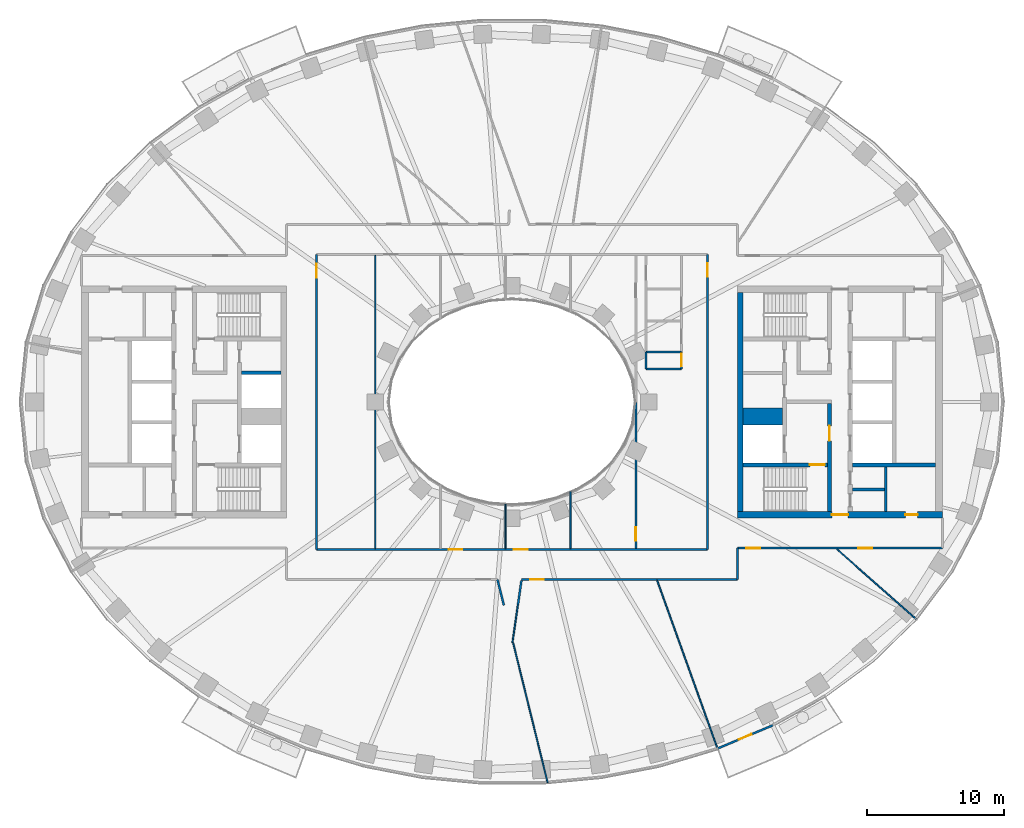
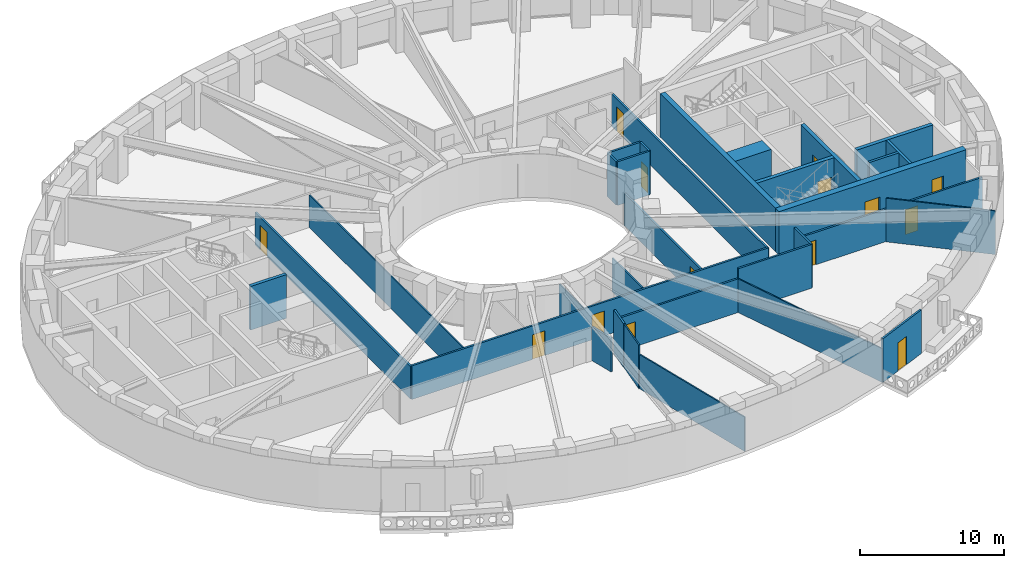
# One storey, part 4 of 15: 31 walls, 14 doors, 14 openings.
"""IFC4 building model written with IfcOpenShell, lengths in metres."""

from ifc_helpers import new_model, si_unit, direction, frame, frame_2d, origin, place, context, subcontext, project, spatial, rectangle, extrude, material, layer, layer_set, type_object, element, fill, save


model = new_model("IFC4")

# Units and contexts
model_context = context("Model", 3, precision=1e-05, world=origin(), true_north=direction((0.0, 1.0)))
body_context = subcontext(model_context, "Body", "Model", "MODEL_VIEW")
ifc_project = project(units=[si_unit("LENGTHUNIT", "METRE"), si_unit("AREAUNIT", "SQUARE_METRE"), si_unit("VOLUMEUNIT", "CUBIC_METRE"), si_unit("PLANEANGLEUNIT", "RADIAN"), si_unit("MASSUNIT", "GRAM", prefix="KILO")], contexts=[model_context])

# Site, building, storey
site_placement = place(None, origin())
site = spatial("IfcSite", under=ifc_project, at=site_placement, CompositionType="ELEMENT")
building_placement = place(site_placement, origin())
building = spatial("IfcBuilding", under=site, at=building_placement, Name="Noorbagh Ring Tower", CompositionType="ELEMENT")
storey_placement = place(building_placement, frame((0.0, 0.0, 104.0)))
storey = spatial("IfcBuildingStorey", under=building, at=storey_placement, Name="L23", CompositionType="ELEMENT", Elevation=104.0)

# Walls
ifc_material_1 = material(Name="Gypsum board on steel studs", Category="steel")
ifc_layer_1 = layer(ifc_material_1, 0.14990234375)
ifc_layer_set_1 = layer_set([ifc_layer_1], Name="Gypsum board on steel studs")
wall_type_1 = type_object("IfcWallType", Name="COMPARTMENT PARTITION 150 EI 60", PredefinedType="PARTITIONING", material=ifc_layer_set_1)
wall_1_placement = place(storey_placement, frame((9.800048828125, 2.404052734375, 0.0), z_axis=(0.0, 0.0, 1.0), x_axis=(0.0, 1.0, 0.0)))
element("IfcWall", 1, at=wall_1_placement, inside=storey, type_object=wall_type_1, Name="L23/wall/P37", PredefinedType="PARTITIONING", context=body_context, shape_type="SweptSolid", body=[
    extrude(rectangle(XDim=1.255859375, YDim=0.14990234375, at=frame_2d((0.6279296875, 0.0))), origin(), (0.0, 0.0, 1.0), 3.699951171875),
])
wall_2_placement = place(storey_placement, frame((9.800048828125, 3.659912109375, 0.0), z_axis=(0.0, 0.0, 1.0), x_axis=(1.0, 0.0, 0.0)))
element("IfcWall", 2, at=wall_2_placement, inside=storey, type_object=wall_type_1, Name="L23/wall/P39", PredefinedType="PARTITIONING", context=body_context, shape_type="SweptSolid", body=[
    extrude(rectangle(XDim=2.599853515625, YDim=0.14990234375, at=frame_2d((1.2998046875, 0.0))), origin(), (0.0, 0.0, 1.0), 3.699951171875),
])
wall_3_placement = place(storey_placement, frame((9.803955078125, 2.39990234375, 0.0), z_axis=(0.0, 0.0, 1.0), x_axis=(1.0, 0.0, 0.0)))
element("IfcWall", 3, at=wall_3_placement, inside=storey, type_object=wall_type_1, Name="L23/wall/P42", PredefinedType="PARTITIONING", context=body_context, shape_type="SweptSolid", body=[
    extrude(rectangle(XDim=2.595947265625, YDim=0.14990234375, at=frame_2d((1.2978515625, 0.0))), origin(), (0.0, 0.0, 1.0), 3.699951171875),
])

# Wall, opening, door
wall_4_placement = place(storey_placement, frame((12.39990234375, 2.39990234375, 0.0), z_axis=(0.0, 0.0, 1.0), x_axis=(0.0, 1.0, 0.0)))
wall_4 = element("IfcWall", 4, at=wall_4_placement, inside=storey, type_object=wall_type_1, Name="L23/wall/P45", PredefinedType="PARTITIONING", context=body_context, shape_type="SweptSolid", body=[
    extrude(rectangle(XDim=1.260009765625, YDim=0.14990234375, at=frame_2d((0.6298828125, 0.0))), origin(), (0.0, 0.0, 1.0), 3.699951171875),
])
opening_1_placement = place(wall_4_placement, frame((0.2099609375, 0.0, 0.0)))
opening_1 = element("IfcOpeningElement", 5, at=opening_1_placement, cuts=wall_4, Name="Opening D4", PredefinedType="OPENING", context=body_context, shape_type="SweptSolid", body=[
    extrude(rectangle(XDim=0.89990234375, YDim=2.10009765625, at=frame_2d((0.449951171875, 1.050048828125))), frame((0.0, 0.0849609375, 0.0), z_axis=(0.0, -1.0, 0.0), x_axis=(1.0, 0.0, 0.0)), (0.0, 0.0, 1.0), 0.169921875),
])
ifc_material_2 = material(Name="Timber, painted", Category="wood")
door_type_1 = type_object("IfcDoorType", Name="DOOR 900 X 2100 FD60", OperationType="SINGLE_SWING_LEFT", PredefinedType="DOOR", material=ifc_material_2)
door_1_placement = place(opening_1_placement, origin())
door_1 = element("IfcDoor", 6, at=door_1_placement, inside=storey, type_object=door_type_1, Name="L23-D05", OperationType="SINGLE_SWING_LEFT", OverallHeight=2.10009765625, OverallWidth=0.89990234375, PredefinedType="DOOR", context=body_context, shape_type="SweptSolid", body=[
    extrude(rectangle(XDim=0.89990234375, YDim=2.10009765625, at=frame_2d((0.449951171875, 1.050048828125))), frame((0.0, 0.02490234375, 0.0), z_axis=(0.0, -1.0, 0.0), x_axis=(1.0, 0.0, 0.0)), (0.0, 0.0, 1.0), 0.050048828125),
])
fill(opening_1, door_1)

# Walls
ifc_material_3 = material(Name="Gypsum board on steel studs", Category="steel")
ifc_layer_2 = layer(ifc_material_3, 0.199951171875)
ifc_layer_set_2 = layer_set([ifc_layer_2], Name="Gypsum board on steel studs")
wall_type_2 = type_object("IfcWallType", Name="CORE-PARTITION-200", PredefinedType="PARTITIONING", material=ifc_layer_set_2)
wall_5_placement = place(storey_placement, frame((27.35009765625, -8.0, 0.0), z_axis=(0.0, 0.0, 1.0), x_axis=(0.0, 1.0, 0.0)))
element("IfcWall", 7, at=wall_5_placement, inside=storey, type_object=wall_type_2, Name="Core partition E", PredefinedType="PARTITIONING", context=body_context, shape_type="SweptSolid", body=[
    extrude(rectangle(XDim=3.25, YDim=0.199951171875, at=frame_2d((1.625, 0.0))), origin(), (0.0, 0.0, 1.0), 3.699951171875),
])
wall_6_placement = place(storey_placement, frame((24.89990234375, -6.39990234375, 0.0), z_axis=(0.0, 0.0, 1.0), x_axis=(1.0, 0.0, 0.0)))
element("IfcWall", 8, at=wall_6_placement, inside=storey, type_object=wall_type_2, Name="Core partition E", PredefinedType="PARTITIONING", context=body_context, shape_type="SweptSolid", body=[
    extrude(rectangle(XDim=2.35009765625, YDim=0.199951171875, at=frame_2d((1.175048828125, 0.0))), origin(), (0.0, 0.0, 1.0), 3.699951171875),
])
ifc_material_4 = material(Name="Concrete C70/85", Category="concrete")
ifc_layer_3 = layer(ifc_material_4, 1.25)
ifc_layer_set_3 = layer_set([ifc_layer_3], Name="Concrete C70/85")
wall_type_3 = type_object("IfcWallType", Name="CORE-WALL-1250-C70-85-EI120", PredefinedType="SHEAR", material=ifc_layer_set_3)
wall_7_placement = place(storey_placement, frame((16.89990234375, -1.074951171875, 0.0), z_axis=(0.0, 0.0, 1.0), x_axis=(1.0, 0.0, 0.0)))
element("IfcWall", 9, at=wall_7_placement, inside=storey, type_object=wall_type_3, Name="Core wall E", PredefinedType="SHEAR", context=body_context, shape_type="SweptSolid", body=[
    extrude(rectangle(XDim=2.900146484375, YDim=1.25, at=frame_2d((1.4501953125, 0.0))), origin(), (0.0, 0.0, 1.0), 3.699951171875),
])
ifc_material_5 = material(Name="Concrete C70/85", Category="concrete")
ifc_layer_4 = layer(ifc_material_5, 0.25)
ifc_layer_set_4 = layer_set([ifc_layer_4], Name="Concrete C70/85")
wall_type_4 = type_object("IfcWallType", Name="CORE-WALL-250-C70-85-EI120", PredefinedType="SHEAR", material=ifc_layer_set_4)
wall_8_placement = place(storey_placement, frame((-16.89990234375, 2.125, 0.0), z_axis=(0.0, 0.0, 1.0), x_axis=(-1.0, 0.0, 0.0)))
element("IfcWall", 10, at=wall_8_placement, inside=storey, type_object=wall_type_4, Name="Core wall W", PredefinedType="SHEAR", context=body_context, shape_type="SweptSolid", body=[
    extrude(rectangle(XDim=2.900146484375, YDim=0.25, at=frame_2d((1.4501953125, 0.0))), origin(), (0.0, 0.0, 1.0), 3.699951171875),
])
ifc_material_6 = material(Name="Concrete C70/85", Category="concrete")
ifc_layer_5 = layer(ifc_material_6, 0.300048828125)
ifc_layer_set_5 = layer_set([ifc_layer_5], Name="Concrete C70/85")
wall_type_5 = type_object("IfcWallType", Name="CORE-WALL-300-C70-85-EI240", PredefinedType="SHEAR", material=ifc_layer_set_5)
wall_9_placement = place(storey_placement, frame((24.89990234375, -4.60009765625, 0.0), z_axis=(0.0, 0.0, 1.0), x_axis=(1.0, 0.0, 0.0)))
element("IfcWall", 11, at=wall_9_placement, inside=storey, type_object=wall_type_5, Name="Core wall E", PredefinedType="SHEAR", context=body_context, shape_type="SweptSolid", body=[
    extrude(rectangle(XDim=6.10009765625, YDim=0.300048828125, at=frame_2d((3.050048828125, 0.0))), origin(), (0.0, 0.0, 1.0), 3.699951171875),
])

# Wall, opening, door
wall_10_placement = place(storey_placement, frame((23.22998046875, -8.0, 0.0), z_axis=(0.0, 0.0, 1.0), x_axis=(0.0, 1.0, 0.0)))
wall_10 = element("IfcWall", 12, at=wall_10_placement, inside=storey, type_object=wall_type_5, Name="Core wall E", PredefinedType="SHEAR", context=body_context, shape_type="SweptSolid", body=[
    extrude(rectangle(XDim=7.875, YDim=0.300048828125, at=frame_2d((3.9375, 0.0))), origin(), (0.0, 0.0, 1.0), 3.699951171875),
])
opening_2_placement = place(wall_10_placement, frame((5.14990234375, 0.0, 0.0)))
opening_2 = element("IfcOpeningElement", 13, at=opening_2_placement, cuts=wall_10, Name="Opening L23-CE07", PredefinedType="OPENING", context=body_context, shape_type="SweptSolid", body=[
    extrude(rectangle(XDim=1.10009765625, YDim=2.10009765625, at=frame_2d((0.550048828125, 1.050048828125))), frame((0.0, 0.16015625, 0.0), z_axis=(0.0, -1.0, 0.0), x_axis=(1.0, 0.0, 0.0)), (0.0, 0.0, 1.0), 0.320068359375),
])
ifc_material_7 = material(Name="Steel door leaf", Category="steel")
door_type_2 = type_object("IfcDoorType", Name="CORE-DOOR-DFF", OperationType="SINGLE_SWING_LEFT", PredefinedType="DOOR", material=ifc_material_7)
door_2_placement = place(opening_2_placement, origin())
door_2 = element("IfcDoor", 14, at=door_2_placement, inside=storey, type_object=door_type_2, Name="Firefighting lobby door L23-CE07", OperationType="SINGLE_SWING_RIGHT", OverallHeight=2.10009765625, OverallWidth=1.10009765625, PredefinedType="DOOR", context=body_context, shape_type="SweptSolid", body=[
    extrude(rectangle(XDim=1.10009765625, YDim=2.10009765625, at=frame_2d((0.550048828125, 1.050048828125))), frame((0.0, 0.02490234375, 0.0), z_axis=(0.0, -1.0, 0.0), x_axis=(1.0, 0.0, 0.0)), (0.0, 0.0, 1.0), 0.050048828125),
])
fill(opening_2, door_2)

wall_11_placement = place(storey_placement, frame((16.89990234375, -4.60009765625, 0.0), z_axis=(0.0, 0.0, 1.0), x_axis=(1.0, 0.0, 0.0)))
wall_11 = element("IfcWall", 15, at=wall_11_placement, inside=storey, type_object=wall_type_5, Name="Core wall E", PredefinedType="SHEAR", context=body_context, shape_type="SweptSolid", body=[
    extrude(rectangle(XDim=6.18017578125, YDim=0.300048828125, at=frame_2d((3.090087890625, 0.0))), origin(), (0.0, 0.0, 1.0), 3.699951171875),
])
opening_3_placement = place(wall_11_placement, frame((4.89990234375, 0.0, 0.0)))
opening_3 = element("IfcOpeningElement", 16, at=opening_3_placement, cuts=wall_11, Name="Opening L23-CE06", PredefinedType="OPENING", context=body_context, shape_type="SweptSolid", body=[
    extrude(rectangle(XDim=1.10009765625, YDim=2.10009765625, at=frame_2d((0.550048828125, 1.050048828125))), frame((0.0, 0.16015625, 0.0), z_axis=(0.0, -1.0, 0.0), x_axis=(1.0, 0.0, 0.0)), (0.0, 0.0, 1.0), 0.320068359375),
])
ifc_material_8 = material(Name="Steel door leaf", Category="steel")
door_type_3 = type_object("IfcDoorType", Name="CORE-DOOR-DSTAIR", OperationType="SINGLE_SWING_LEFT", PredefinedType="DOOR", material=ifc_material_8)
door_3_placement = place(opening_3_placement, origin())
door_3 = element("IfcDoor", 17, at=door_3_placement, inside=storey, type_object=door_type_3, Name="Stair door ST4 L23-CE06", OperationType="SINGLE_SWING_RIGHT", OverallHeight=2.10009765625, OverallWidth=1.10009765625, PredefinedType="DOOR", context=body_context, shape_type="SweptSolid", body=[
    extrude(rectangle(XDim=1.10009765625, YDim=2.10009765625, at=frame_2d((0.550048828125, 1.050048828125))), frame((0.0, 0.02490234375, 0.0), z_axis=(0.0, -1.0, 0.0), x_axis=(1.0, 0.0, 0.0)), (0.0, 0.0, 1.0), 0.050048828125),
])
fill(opening_3, door_3)

# Wall
ifc_material_9 = material(Name="Concrete C70/85", Category="concrete")
ifc_layer_6 = layer(ifc_material_9, 0.39990234375)
ifc_layer_set_6 = layer_set([ifc_layer_6], Name="Concrete C70/85")
wall_type_6 = type_object("IfcWallType", Name="CORE-WALL-400-C70-85-EI240", PredefinedType="SHEAR", material=ifc_layer_set_6)
wall_12_placement = place(storey_placement, frame((16.699951171875, -8.0, 0.0), z_axis=(0.0, 0.0, 1.0), x_axis=(0.0, 1.0, 0.0)))
element("IfcWall", 18, at=wall_12_placement, inside=storey, type_object=wall_type_6, Name="Core wall E", PredefinedType="SHEAR", context=body_context, shape_type="SweptSolid", body=[
    extrude(rectangle(XDim=16.0, YDim=0.39990234375, at=frame_2d((8.0, 0.0))), origin(), (0.0, 0.0, 1.0), 3.699951171875),
])

# Wall, openings, doors
ifc_material_10 = material(Name="Concrete C70/85", Category="concrete")
ifc_layer_7 = layer(ifc_material_10, 0.5)
ifc_layer_set_7 = layer_set([ifc_layer_7], Name="Concrete C70/85")
wall_type_7 = type_object("IfcWallType", Name="CORE-WALL-500-C70-85-EI240", PredefinedType="SHEAR", material=ifc_layer_set_7)
wall_13_placement = place(storey_placement, frame((16.5, -8.25, 0.0), z_axis=(0.0, 0.0, 1.0), x_axis=(1.0, 0.0, 0.0)))
wall_13 = element("IfcWall", 19, at=wall_13_placement, inside=storey, type_object=wall_type_7, Name="Core wall E", PredefinedType="SHEAR", context=body_context, shape_type="SweptSolid", body=[
    extrude(rectangle(XDim=15.0, YDim=0.5, at=frame_2d((7.5, 0.0))), origin(), (0.0, 0.0, 1.0), 3.699951171875),
])
opening_4_placement = place(wall_13_placement, frame((6.89990234375, 0.0, 0.0)))
opening_4 = element("IfcOpeningElement", 20, at=opening_4_placement, cuts=wall_13, Name="Opening L23-CE10", PredefinedType="OPENING", context=body_context, shape_type="SweptSolid", body=[
    extrude(rectangle(XDim=1.199951171875, YDim=2.10009765625, at=frame_2d((0.60009765625, 1.050048828125))), frame((0.0, 0.260009765625, 0.0), z_axis=(0.0, -1.0, 0.0), x_axis=(1.0, 0.0, 0.0)), (0.0, 0.0, 1.0), 0.52001953125),
])
opening_5_placement = place(wall_13_placement, frame((12.27490234375, 0.0, 0.0)))
opening_5 = element("IfcOpeningElement", 21, at=opening_5_placement, cuts=wall_13, Name="Opening L23-CE17", PredefinedType="OPENING", context=body_context, shape_type="SweptSolid", body=[
    extrude(rectangle(XDim=0.89990234375, YDim=2.10009765625, at=frame_2d((0.449951171875, 1.050048828125))), frame((0.0, 0.260009765625, 0.0), z_axis=(0.0, -1.0, 0.0), x_axis=(1.0, 0.0, 0.0)), (0.0, 0.0, 1.0), 0.52001953125),
])
ifc_material_11 = material(Name="Steel door leaf", Category="steel")
door_type_4 = type_object("IfcDoorType", Name="CORE-DOOR-DROOM", OperationType="SINGLE_SWING_LEFT", PredefinedType="DOOR", material=ifc_material_11)
door_4_placement = place(opening_5_placement, origin())
door_4 = element("IfcDoor", 22, at=door_4_placement, inside=storey, type_object=door_type_4, Name="Core room door L23-CE17", OperationType="SINGLE_SWING_RIGHT", OverallHeight=2.10009765625, OverallWidth=0.89990234375, PredefinedType="DOOR", context=body_context, shape_type="SweptSolid", body=[
    extrude(rectangle(XDim=0.89990234375, YDim=2.10009765625, at=frame_2d((0.449951171875, 1.050048828125))), frame((0.0, 0.02490234375, 0.0), z_axis=(0.0, -1.0, 0.0), x_axis=(1.0, 0.0, 0.0)), (0.0, 0.0, 1.0), 0.050048828125),
])
fill(opening_5, door_4)
ifc_material_12 = material(Name="Steel door leaf", Category="steel")
door_type_5 = type_object("IfcDoorType", Name="CORE-DOOR-PORT", OperationType="DOUBLE_DOOR_DOUBLE_SWING", PredefinedType="DOOR", material=ifc_material_12)
door_5_placement = place(opening_4_placement, origin())
door_5 = element("IfcDoor", 23, at=door_5_placement, inside=storey, type_object=door_type_5, Name="Core entrance door L23-CE10", OperationType="DOUBLE_DOOR_DOUBLE_SWING", OverallHeight=2.10009765625, OverallWidth=1.199951171875, PredefinedType="DOOR", context=body_context, shape_type="SweptSolid", body=[
    extrude(rectangle(XDim=1.199951171875, YDim=2.10009765625, at=frame_2d((0.60009765625, 1.050048828125))), frame((0.0, 0.02490234375, 0.0), z_axis=(0.0, -1.0, 0.0), x_axis=(1.0, 0.0, 0.0)), (0.0, 0.0, 1.0), 0.050048828125),
])
fill(opening_4, door_5)

# Wall, opening, door
ifc_material_13 = material(Name="Gypsum board on steel studs", Category="steel")
ifc_layer_8 = layer(ifc_material_13, 0.14990234375)
ifc_layer_set_8 = layer_set([ifc_layer_8], Name="Gypsum board on steel studs")
wall_type_8 = type_object("IfcWallType", Name="CORRIDOR PARTITION 150 EI 30", PredefinedType="PARTITIONING", material=ifc_layer_set_8)
wall_14_placement = place(storey_placement, frame((-14.300048828125, -10.800048828125, 0.0), z_axis=(0.0, 0.0, 1.0), x_axis=(0.0, 1.0, 0.0)))
wall_14 = element("IfcWall", 24, at=wall_14_placement, inside=storey, type_object=wall_type_8, Name="L23/wall/P12", PredefinedType="PARTITIONING", context=body_context, shape_type="SweptSolid", body=[
    extrude(rectangle(XDim=21.60009765625, YDim=0.14990234375, at=frame_2d((10.800048828125, 0.0))), origin(), (0.0, 0.0, 1.0), 2.75),
])
opening_6_placement = place(wall_14_placement, frame((19.89990234375, 0.0, 0.0)))
opening_6 = element("IfcOpeningElement", 25, at=opening_6_placement, cuts=wall_14, Name="Opening D1", PredefinedType="OPENING", context=body_context, shape_type="SweptSolid", body=[
    extrude(rectangle(XDim=1.0, YDim=2.10009765625, at=frame_2d((0.5, 1.050048828125))), frame((0.0, 0.0849609375, 0.0), z_axis=(0.0, -1.0, 0.0), x_axis=(1.0, 0.0, 0.0)), (0.0, 0.0, 1.0), 0.169921875),
])
ifc_material_14 = material(Name="Timber, painted", Category="wood")
door_type_6 = type_object("IfcDoorType", Name="DOOR 1000 X 2100 FD30", OperationType="SINGLE_SWING_LEFT", PredefinedType="DOOR", material=ifc_material_14)
door_6_placement = place(opening_6_placement, origin())
door_6 = element("IfcDoor", 26, at=door_6_placement, inside=storey, type_object=door_type_6, Name="L23-D18", OperationType="SINGLE_SWING_RIGHT", OverallHeight=2.10009765625, OverallWidth=1.0, PredefinedType="DOOR", context=body_context, shape_type="SweptSolid", body=[
    extrude(rectangle(XDim=1.0, YDim=2.10009765625, at=frame_2d((0.5, 1.050048828125))), frame((0.0, 0.02490234375, 0.0), z_axis=(0.0, -1.0, 0.0), x_axis=(1.0, 0.0, 0.0)), (0.0, 0.0, 1.0), 0.050048828125),
])
fill(opening_6, door_6)

# Wall, openings, doors
wall_15_placement = place(storey_placement, frame((-14.300048828125, -10.800048828125, 0.0), z_axis=(0.0, 0.0, 1.0), x_axis=(1.0, 0.0, 0.0)))
wall_15 = element("IfcWall", 27, at=wall_15_placement, inside=storey, type_object=wall_type_8, Name="L23/wall/P13", PredefinedType="PARTITIONING", context=body_context, shape_type="SweptSolid", body=[
    extrude(rectangle(XDim=28.60009765625, YDim=0.14990234375, at=frame_2d((14.300048828125, 0.0))), origin(), (0.0, 0.0, 1.0), 2.85009765625),
])
opening_7_placement = place(wall_15_placement, frame((9.673095703125, 0.0, 0.0)))
opening_7 = element("IfcOpeningElement", 28, at=opening_7_placement, cuts=wall_15, Name="Opening D1", PredefinedType="OPENING", context=body_context, shape_type="SweptSolid", body=[
    extrude(rectangle(XDim=1.0, YDim=2.10009765625, at=frame_2d((0.5, 1.050048828125))), frame((0.0, 0.0849609375, 0.0), z_axis=(0.0, -1.0, 0.0), x_axis=(1.0, 0.0, 0.0)), (0.0, 0.0, 1.0), 0.169921875),
])
opening_8_placement = place(wall_15_placement, frame((14.43994140625, 0.0, 0.0)))
opening_8 = element("IfcOpeningElement", 29, at=opening_8_placement, cuts=wall_15, Name="Opening D1", PredefinedType="OPENING", context=body_context, shape_type="SweptSolid", body=[
    extrude(rectangle(XDim=1.0, YDim=2.10009765625, at=frame_2d((0.5, 1.050048828125))), frame((0.0, 0.0849609375, 0.0), z_axis=(0.0, -1.0, 0.0), x_axis=(1.0, 0.0, 0.0)), (0.0, 0.0, 1.0), 0.169921875),
])
door_7_placement = place(opening_7_placement, origin())
door_7 = element("IfcDoor", 30, at=door_7_placement, inside=storey, type_object=door_type_6, Name="L23-D20", OperationType="SINGLE_SWING_RIGHT", OverallHeight=2.10009765625, OverallWidth=1.0, PredefinedType="DOOR", context=body_context, shape_type="SweptSolid", body=[
    extrude(rectangle(XDim=1.0, YDim=2.10009765625, at=frame_2d((0.5, 1.050048828125))), frame((0.0, 0.02490234375, 0.0), z_axis=(0.0, -1.0, 0.0), x_axis=(1.0, 0.0, 0.0)), (0.0, 0.0, 1.0), 0.050048828125),
])
fill(opening_7, door_7)
door_8_placement = place(opening_8_placement, origin())
door_8 = element("IfcDoor", 31, at=door_8_placement, inside=storey, type_object=door_type_6, Name="L23-D22", OperationType="SINGLE_SWING_RIGHT", OverallHeight=2.10009765625, OverallWidth=1.0, PredefinedType="DOOR", context=body_context, shape_type="SweptSolid", body=[
    extrude(rectangle(XDim=1.0, YDim=2.10009765625, at=frame_2d((0.5, 1.050048828125))), frame((0.0, 0.02490234375, 0.0), z_axis=(0.0, -1.0, 0.0), x_axis=(1.0, 0.0, 0.0)), (0.0, 0.0, 1.0), 0.050048828125),
])
fill(opening_8, door_8)

# Walls
wall_16_placement = place(storey_placement, frame((-1.06103515625, -13.0, 0.0), z_axis=(0.0, 0.0, 1.0), x_axis=(0.240039134513, -0.970763212067, 0.0)))
element("IfcWall", 32, at=wall_16_placement, inside=storey, type_object=wall_type_8, Name="L23/wall/P22", PredefinedType="PARTITIONING", context=body_context, shape_type="SweptSolid", body=[
    extrude(rectangle(XDim=1.93359375, YDim=0.14990234375, at=frame_2d((0.966796875, 0.0))), origin(), (0.0, 0.0, 1.0), 2.85009765625),
])
wall_17_placement = place(storey_placement, frame((0.429931640625, -14.864013671875, 0.0), z_axis=(0.0, 0.0, 1.0), x_axis=(0.143488136145, 0.989652037226, 0.0)))
element("IfcWall", 33, at=wall_17_placement, inside=storey, type_object=wall_type_8, Name="L23/wall/P28", PredefinedType="PARTITIONING", context=body_context, shape_type="SweptSolid", body=[
    extrude(rectangle(XDim=1.81884765625, YDim=0.14990234375, at=frame_2d((0.909423828125, 0.0))), origin(), (0.0, 0.0, 1.0), 3.699951171875),
])

# Wall, opening, door
wall_18_placement = place(storey_placement, frame((0.679931640625, -13.0, 0.0), z_axis=(0.0, 0.0, 1.0), x_axis=(1.0, 0.0, 0.0)))
wall_18 = element("IfcWall", 34, at=wall_18_placement, inside=storey, type_object=wall_type_8, Name="L23/wall/P29", PredefinedType="PARTITIONING", context=body_context, shape_type="SweptSolid", body=[
    extrude(rectangle(XDim=9.968017578125, YDim=0.14990234375, at=frame_2d((4.98388671875, 0.0))), origin(), (0.0, 0.0, 1.0), 2.85009765625),
])
opening_9_placement = place(wall_18_placement, frame((0.64990234375, 0.0, 0.0)))
opening_9 = element("IfcOpeningElement", 35, at=opening_9_placement, cuts=wall_18, Name="Opening D1", PredefinedType="OPENING", context=body_context, shape_type="SweptSolid", body=[
    extrude(rectangle(XDim=1.0, YDim=2.10009765625, at=frame_2d((0.5, 1.050048828125))), frame((0.0, 0.0849609375, 0.0), z_axis=(0.0, -1.0, 0.0), x_axis=(1.0, 0.0, 0.0)), (0.0, 0.0, 1.0), 0.169921875),
])
door_9_placement = place(opening_9_placement, origin())
door_9 = element("IfcDoor", 36, at=door_9_placement, inside=storey, type_object=door_type_6, Name="L23-D13", OperationType="SINGLE_SWING_LEFT", OverallHeight=2.10009765625, OverallWidth=1.0, PredefinedType="DOOR", context=body_context, shape_type="SweptSolid", body=[
    extrude(rectangle(XDim=1.0, YDim=2.10009765625, at=frame_2d((0.5, 1.050048828125))), frame((0.0, 0.02490234375, 0.0), z_axis=(0.0, -1.0, 0.0), x_axis=(1.0, 0.0, 0.0)), (0.0, 0.0, 1.0), 0.050048828125),
])
fill(opening_9, door_9)

wall_19_placement = place(storey_placement, frame((9.056884765625, -10.72509765625, 0.0), z_axis=(0.0, 0.0, 1.0), x_axis=(0.0, 1.0, 0.0)))
wall_19 = element("IfcWall", 37, at=wall_19_placement, inside=storey, type_object=wall_type_8, Name="L23/wall/P35", PredefinedType="PARTITIONING", context=body_context, shape_type="SweptSolid", body=[
    extrude(rectangle(XDim=10.68017578125, YDim=0.14990234375, at=frame_2d((5.340087890625, 0.0))), origin(), (0.0, 0.0, 1.0), 2.75),
])
opening_10_placement = place(wall_19_placement, frame((0.570068359375, 0.0, 0.0)))
opening_10 = element("IfcOpeningElement", 38, at=opening_10_placement, cuts=wall_19, Name="Opening D1", PredefinedType="OPENING", context=body_context, shape_type="SweptSolid", body=[
    extrude(rectangle(XDim=1.0, YDim=2.10009765625, at=frame_2d((0.5, 1.050048828125))), frame((0.0, 0.0849609375, 0.0), z_axis=(0.0, -1.0, 0.0), x_axis=(1.0, 0.0, 0.0)), (0.0, 0.0, 1.0), 0.169921875),
])
door_10_placement = place(opening_10_placement, origin())
door_10 = element("IfcDoor", 39, at=door_10_placement, inside=storey, type_object=door_type_6, Name="L23-D24", OperationType="SINGLE_SWING_RIGHT", OverallHeight=2.10009765625, OverallWidth=1.0, PredefinedType="DOOR", context=body_context, shape_type="SweptSolid", body=[
    extrude(rectangle(XDim=1.0, YDim=2.10009765625, at=frame_2d((0.5, 1.050048828125))), frame((0.0, 0.02490234375, 0.0), z_axis=(0.0, -1.0, 0.0), x_axis=(1.0, 0.0, 0.0)), (0.0, 0.0, 1.0), 0.050048828125),
])
fill(opening_10, door_10)

# Wall
wall_20_placement = place(storey_placement, frame((10.60693359375, -13.0, 0.0), z_axis=(0.0, 0.0, 1.0), x_axis=(1.0, 0.0, 0.0)))
element("IfcWall", 40, at=wall_20_placement, inside=storey, type_object=wall_type_8, Name="L23/wall/P44", PredefinedType="PARTITIONING", context=body_context, shape_type="SweptSolid", body=[
    extrude(rectangle(XDim=5.89306640625, YDim=0.14990234375, at=frame_2d((2.946533203125, 0.0))), origin(), (0.0, 0.0, 1.0), 3.699951171875),
])

# Wall, opening, door
wall_21_placement = place(storey_placement, frame((14.300048828125, -10.800048828125, 0.0), z_axis=(0.0, 0.0, 1.0), x_axis=(0.0, 1.0, 0.0)))
wall_21 = element("IfcWall", 41, at=wall_21_placement, inside=storey, type_object=wall_type_8, Name="L23/wall/P47", PredefinedType="PARTITIONING", context=body_context, shape_type="SweptSolid", body=[
    extrude(rectangle(XDim=21.60009765625, YDim=0.14990234375, at=frame_2d((10.800048828125, 0.0))), origin(), (0.0, 0.0, 1.0), 2.75),
])
opening_11_placement = place(wall_21_placement, frame((19.949951171875, 0.0, 0.0)))
opening_11 = element("IfcOpeningElement", 42, at=opening_11_placement, cuts=wall_21, Name="Opening D1", PredefinedType="OPENING", context=body_context, shape_type="SweptSolid", body=[
    extrude(rectangle(XDim=1.0, YDim=2.10009765625, at=frame_2d((0.5, 1.050048828125))), frame((0.0, 0.0849609375, 0.0), z_axis=(0.0, -1.0, 0.0), x_axis=(1.0, 0.0, 0.0)), (0.0, 0.0, 1.0), 0.169921875),
])
door_11_placement = place(opening_11_placement, origin())
door_11 = element("IfcDoor", 43, at=door_11_placement, inside=storey, type_object=door_type_6, Name="L23-D01", OperationType="SINGLE_SWING_LEFT", OverallHeight=2.10009765625, OverallWidth=1.0, PredefinedType="DOOR", context=body_context, shape_type="SweptSolid", body=[
    extrude(rectangle(XDim=1.0, YDim=2.10009765625, at=frame_2d((0.5, 1.050048828125))), frame((0.0, 0.02490234375, 0.0), z_axis=(0.0, -1.0, 0.0), x_axis=(1.0, 0.0, 0.0)), (0.0, 0.0, 1.0), 0.050048828125),
])
fill(opening_11, door_11)

# Wall
wall_22_placement = place(storey_placement, frame((16.5, -13.0, 0.0), z_axis=(0.0, 0.0, 1.0), x_axis=(0.0, 1.0, 0.0)))
element("IfcWall", 44, at=wall_22_placement, inside=storey, type_object=wall_type_8, Name="L23/wall/P48", PredefinedType="PARTITIONING", context=body_context, shape_type="SweptSolid", body=[
    extrude(rectangle(XDim=2.300048828125, YDim=0.14990234375, at=frame_2d((1.14990234375, 0.0))), origin(), (0.0, 0.0, 1.0), 3.699951171875),
])

# Wall, openings, doors
wall_23_placement = place(storey_placement, frame((16.5, -10.699951171875, 0.0), z_axis=(0.0, 0.0, 1.0), x_axis=(1.0, 0.0, 0.0)))
wall_23 = element("IfcWall", 45, at=wall_23_placement, inside=storey, type_object=wall_type_8, Name="L23/wall/P49", PredefinedType="PARTITIONING", context=body_context, shape_type="SweptSolid", body=[
    extrude(rectangle(XDim=15.0, YDim=0.14990234375, at=frame_2d((7.5, 0.0))), origin(), (0.0, 0.0, 1.0), 2.75),
])
opening_12_placement = place(wall_23_placement, frame((0.64990234375, 0.0, 0.0)))
opening_12 = element("IfcOpeningElement", 46, at=opening_12_placement, cuts=wall_23, Name="Opening D1", PredefinedType="OPENING", context=body_context, shape_type="SweptSolid", body=[
    extrude(rectangle(XDim=1.0, YDim=2.10009765625, at=frame_2d((0.5, 1.050048828125))), frame((0.0, 0.0849609375, 0.0), z_axis=(0.0, -1.0, 0.0), x_axis=(1.0, 0.0, 0.0)), (0.0, 0.0, 1.0), 0.169921875),
])
opening_13_placement = place(wall_23_placement, frame((8.846923828125, 0.0, 0.0)))
opening_13 = element("IfcOpeningElement", 47, at=opening_13_placement, cuts=wall_23, Name="Opening D1", PredefinedType="OPENING", context=body_context, shape_type="SweptSolid", body=[
    extrude(rectangle(XDim=1.0, YDim=2.10009765625, at=frame_2d((0.5, 1.050048828125))), frame((0.0, 0.0849609375, 0.0), z_axis=(0.0, -1.0, 0.0), x_axis=(1.0, 0.0, 0.0)), (0.0, 0.0, 1.0), 0.169921875),
])
door_12_placement = place(opening_12_placement, origin())
door_12 = element("IfcDoor", 48, at=door_12_placement, inside=storey, type_object=door_type_6, Name="L23-D15", OperationType="SINGLE_SWING_LEFT", OverallHeight=2.10009765625, OverallWidth=1.0, PredefinedType="DOOR", context=body_context, shape_type="SweptSolid", body=[
    extrude(rectangle(XDim=1.0, YDim=2.10009765625, at=frame_2d((0.5, 1.050048828125))), frame((0.0, 0.02490234375, 0.0), z_axis=(0.0, -1.0, 0.0), x_axis=(1.0, 0.0, 0.0)), (0.0, 0.0, 1.0), 0.050048828125),
])
fill(opening_12, door_12)
door_13_placement = place(opening_13_placement, origin())
door_13 = element("IfcDoor", 49, at=door_13_placement, inside=storey, type_object=door_type_6, Name="L23-D17", OperationType="SINGLE_SWING_LEFT", OverallHeight=2.10009765625, OverallWidth=1.0, PredefinedType="DOOR", context=body_context, shape_type="SweptSolid", body=[
    extrude(rectangle(XDim=1.0, YDim=2.10009765625, at=frame_2d((0.5, 1.050048828125))), frame((0.0, 0.02490234375, 0.0), z_axis=(0.0, -1.0, 0.0), x_axis=(1.0, 0.0, 0.0)), (0.0, 0.0, 1.0), 0.050048828125),
])
fill(opening_13, door_13)

# Wall, opening, door
ifc_material_15 = material(Name="Insulated aluminium clad panel", Category="aluminium")
ifc_layer_9 = layer(ifc_material_15, 0.14990234375)
ifc_layer_set_9 = layer_set([ifc_layer_9], Name="Insulated aluminium clad panel")
wall_type_9 = type_object("IfcWallType", Name="ENV-WALL-DOOR", PredefinedType="STANDARD", material=ifc_layer_set_9)
wall_24_placement = place(storey_placement, frame((15.017822265625, -25.368896484375, 0.0), z_axis=(0.0, 0.0, 1.0), x_axis=(0.921816985161, 0.387625393736, 0.0)))
wall_24 = element("IfcWall", 50, at=wall_24_placement, inside=storey, type_object=wall_type_9, Name="Balcony door wall chord 39", PredefinedType="STANDARD", context=body_context, shape_type="SweptSolid", body=[
    extrude(rectangle(XDim=4.42578125, YDim=0.14990234375, at=frame_2d((2.212890625, 0.0))), origin(), (0.0, 0.0, 1.0), 3.699951171875),
])
opening_14_placement = place(wall_24_placement, frame((1.712890625, 0.0, 0.0)))
opening_14 = element("IfcOpeningElement", 51, at=opening_14_placement, cuts=wall_24, Name="Opening D-BL", PredefinedType="OPENING", context=body_context, shape_type="SweptSolid", body=[
    extrude(rectangle(XDim=1.0, YDim=2.39990234375, at=frame_2d((0.5, 1.199951171875))), frame((0.0, 0.0849609375, 0.0), z_axis=(0.0, -1.0, 0.0), x_axis=(1.0, 0.0, 0.0)), (0.0, 0.0, 1.0), 0.169921875),
])
ifc_material_16 = material(Name="Aluminium and glass", Category="aluminium")
door_type_7 = type_object("IfcDoorType", Name="ENV-DOOR-BALCONY", OperationType="SINGLE_SWING_LEFT", PredefinedType="DOOR", material=ifc_material_16)
door_14_placement = place(opening_14_placement, origin())
door_14 = element("IfcDoor", 52, at=door_14_placement, inside=storey, type_object=door_type_7, Name="Balcony door chord 39", OperationType="SINGLE_SWING_RIGHT", OverallHeight=2.39990234375, OverallWidth=1.0, PredefinedType="DOOR", context=body_context, shape_type="SweptSolid", body=[
    extrude(rectangle(XDim=1.0, YDim=2.39990234375, at=frame_2d((0.5, 1.199951171875))), frame((0.0, 0.02490234375, 0.0), z_axis=(0.0, -1.0, 0.0), x_axis=(1.0, 0.0, 0.0)), (0.0, 0.0, 1.0), 0.050048828125),
])
fill(opening_14, door_14)

# Walls
ifc_material_17 = material(Name="Gypsum board on steel studs", Category="steel")
ifc_layer_10 = layer(ifc_material_17, 0.10009765625)
ifc_layer_set_10 = layer_set([ifc_layer_10], Name="Gypsum board on steel studs")
wall_type_10 = type_object("IfcWallType", Name="PARTITION 100 GYPSUM", PredefinedType="PARTITIONING", material=ifc_layer_set_10)
wall_25_placement = place(storey_placement, frame((-10.010009765625, -10.72509765625, 0.0), z_axis=(0.0, 0.0, 1.0), x_axis=(0.0, 1.0, 0.0)))
element("IfcWall", 53, at=wall_25_placement, inside=storey, type_object=wall_type_10, Name="L23/wall/P16", PredefinedType="PARTITIONING", context=body_context, shape_type="SweptSolid", body=[
    extrude(rectangle(XDim=21.4501953125, YDim=0.10009765625, at=frame_2d((10.72509765625, 0.0))), origin(), (0.0, 0.0, 1.0), 2.75),
])
wall_26_placement = place(storey_placement, frame((-0.47705078125, -10.72509765625, 0.0), z_axis=(0.0, 0.0, 1.0), x_axis=(0.0, 1.0, 0.0)))
element("IfcWall", 54, at=wall_26_placement, inside=storey, type_object=wall_type_10, Name="L23/wall/P23", PredefinedType="PARTITIONING", context=body_context, shape_type="SweptSolid", body=[
    extrude(rectangle(XDim=3.257080078125, YDim=0.10009765625, at=frame_2d((1.62841796875, 0.0))), origin(), (0.0, 0.0, 1.0), 2.89990234375),
])
wall_27_placement = place(storey_placement, frame((0.031005859375, -17.626953125, 0.0), z_axis=(0.0, 0.0, 1.0), x_axis=(0.143195777523, 0.989694381766, 0.0)))
element("IfcWall", 55, at=wall_27_placement, inside=storey, type_object=wall_type_10, Name="L23/wall/P26", PredefinedType="PARTITIONING", context=body_context, shape_type="SweptSolid", body=[
    extrude(rectangle(XDim=2.792724609375, YDim=0.10009765625, at=frame_2d((1.396484375, 0.0))), origin(), (0.0, 0.0, 1.0), 3.699951171875),
])
wall_28_placement = place(storey_placement, frame((0.08203125, -17.625, 0.0), z_axis=(0.0, 0.0, 1.0), x_axis=(0.239733297303, -0.970838784847, 0.0)))
element("IfcWall", 56, at=wall_28_placement, inside=storey, type_object=wall_type_10, Name="L23/wall/P27", PredefinedType="PARTITIONING", context=body_context, shape_type="SweptSolid", body=[
    extrude(rectangle(XDim=10.540283203125, YDim=0.10009765625, at=frame_2d((5.27001953125, 0.0))), origin(), (0.0, 0.0, 1.0), 2.89990234375),
])
wall_29_placement = place(storey_placement, frame((4.2900390625, -10.72509765625, 0.0), z_axis=(0.0, 0.0, 1.0), x_axis=(0.0, 1.0, 0.0)))
element("IfcWall", 57, at=wall_29_placement, inside=storey, type_object=wall_type_10, Name="L23/wall/P31", PredefinedType="PARTITIONING", context=body_context, shape_type="SweptSolid", body=[
    extrude(rectangle(XDim=4.156982421875, YDim=0.10009765625, at=frame_2d((2.07861328125, 0.0))), origin(), (0.0, 0.0, 1.0), 2.89990234375),
])
wall_30_placement = place(storey_placement, frame((10.6220703125, -13.074951171875, 0.0), z_axis=(0.0, 0.0, 1.0), x_axis=(0.338388305095, -0.941006564788, 0.0)))
element("IfcWall", 58, at=wall_30_placement, inside=storey, type_object=wall_type_10, Name="L23/wall/P43", PredefinedType="PARTITIONING", context=body_context, shape_type="SweptSolid", body=[
    extrude(rectangle(XDim=13.079833984375, YDim=0.10009765625, at=frame_2d((6.5400390625, 0.0))), origin(), (0.0, 0.0, 1.0), 2.85009765625),
])
wall_31_placement = place(storey_placement, frame((23.784912109375, -10.778076171875, 0.0), z_axis=(0.0, 0.0, 1.0), x_axis=(0.748985701008, -0.662586160198, 0.0)))
element("IfcWall", 59, at=wall_31_placement, inside=storey, type_object=wall_type_10, Name="L23/wall/P53", PredefinedType="PARTITIONING", context=body_context, shape_type="SweptSolid", body=[
    extrude(rectangle(XDim=7.72265625, YDim=0.10009765625, at=frame_2d((3.861328125, 0.0))), origin(), (0.0, 0.0, 1.0), 3.699951171875),
])

save(model, "model.ifc")
